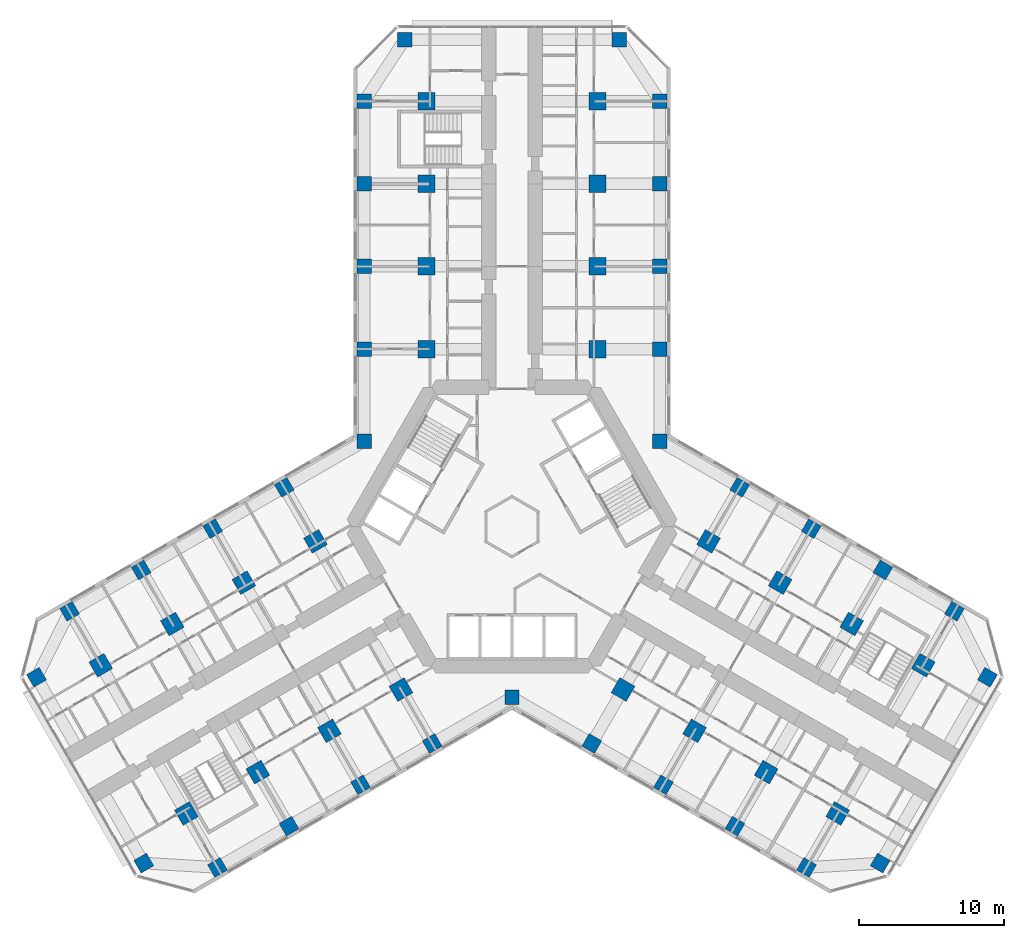
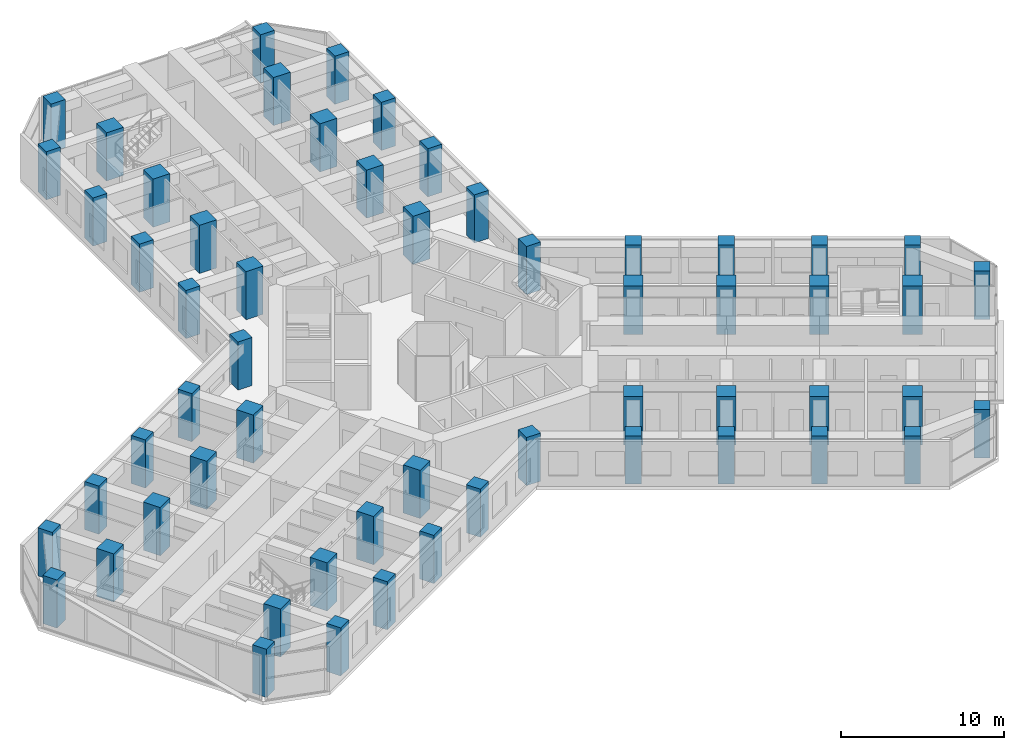
# One storey, part 1 of 21: 57 columns.
"""IFC4 building model written with IfcOpenShell, lengths in metres."""

from ifc_helpers import new_model, si_unit, direction, frame, origin, origin_2d, place, context, subcontext, project, spatial, rectangle, extrude, material, material_profile, profile_set, type_object, element, save


model = new_model("IFC4")

# Units and contexts
model_context = context("Model", 3, precision=1e-05, world=origin(), true_north=direction((0.0, 1.0)))
body_context = subcontext(model_context, "Body", "Model", "MODEL_VIEW")
ifc_project = project(units=[si_unit("LENGTHUNIT", "METRE"), si_unit("AREAUNIT", "SQUARE_METRE"), si_unit("VOLUMEUNIT", "CUBIC_METRE"), si_unit("PLANEANGLEUNIT", "RADIAN"), si_unit("MASSUNIT", "GRAM", prefix="KILO")], contexts=[model_context])

# Site, building, storey
site_placement = place(None, origin())
site = spatial("IfcSite", under=ifc_project, at=site_placement, CompositionType="ELEMENT")
building_placement = place(site_placement, origin())
building = spatial("IfcBuilding", under=site, at=building_placement, Name="Kosmar Iwan School Tower", CompositionType="ELEMENT")
storey_placement = place(building_placement, frame((0.0, 0.0, 57.39990234375)))
storey = spatial("IfcBuildingStorey", under=building, at=storey_placement, Name="L13", CompositionType="ELEMENT", Elevation=57.39990234375)

# Columns
ifc_material_1 = material(Name="Concrete C50/60", Category="concrete")
ifc_material_profile_1 = material_profile(ifc_material_1, rectangle(XDim=1.0, YDim=1.0, at=origin_2d()), Name="RC 1000x1000 + HD 400x677")
ifc_profile_set_1 = profile_set([ifc_material_profile_1], Name="Concrete C50/60")
column_type_1 = type_object("IfcColumnType", Name="Composite column 1000x1000 HD 400x677", PredefinedType="COLUMN", material=ifc_profile_set_1)
for number, where, z_axis, x_axis, name in (
    (1, (-10.199951171875, 12.25, 0.0), (0.0, 0.0, 1.0), (0.0, 1.0, 0.0), "Column AL1 L13"),
    (2, (-10.199951171875, 17.949951171875, 0.0), (0.0, 0.0, 1.0), (0.0, 1.0, 0.0), "Column AL2 L13"),
    (3, (-10.199951171875, 23.64990234375, 0.0), (0.0, 0.0, 1.0), (0.0, 1.0, 0.0), "Column AL3 L13"),
    (4, (-10.199951171875, 29.35009765625, 0.0), (0.0, 0.0, 1.0), (0.0, 1.0, 0.0), "Column AL4 L13"),
    (5, (-7.39990234375, 33.60009765625, 0.0), (0.0, 0.0, 1.0), (0.0, 1.0, 0.0), "Column ALTIP L13"),
    (6, (10.199951171875, 12.25, 0.0), (0.0, 0.0, 1.0), (0.0, 1.0, 0.0), "Column AR1 L13"),
    (7, (10.199951171875, 17.949951171875, 0.0), (0.0, 0.0, 1.0), (0.0, 1.0, 0.0), "Column AR2 L13"),
    (8, (10.199951171875, 23.64990234375, 0.0), (0.0, 0.0, 1.0), (0.0, 1.0, 0.0), "Column AR3 L13"),
    (9, (10.199951171875, 29.35009765625, 0.0), (0.0, 0.0, 1.0), (0.0, 1.0, 0.0), "Column AR4 L13"),
    (10, (7.39990234375, 33.60009765625, 0.0), (0.0, 0.0, 1.0), (0.0, 1.0, 0.0), "Column ARTIP L13"),
    (11, (-5.5087890625, -14.95849609375, 0.0), (0.0, 0.0, 1.0), (-0.866025403784, -0.5, 0.0), "Column BL1 L13"),
    (12, (-10.445068359375, -17.808349609375, 0.0), (0.0, 0.0, 1.0), (-0.866025403784, -0.5, 0.0), "Column BL2 L13"),
    (13, (-15.381591796875, -20.658447265625, 0.0), (0.0, 0.0, 1.0), (-0.866025403784, -0.5, 0.0), "Column BL3 L13"),
    (14, (-20.31787109375, -23.508544921875, 0.0), (0.0, 0.0, 1.0), (-0.866025403784, -0.5, 0.0), "Column BL4 L13"),
    (15, (-25.3984375, -23.20849609375, 0.0), (0.0, 0.0, 1.0), (-0.866025403784, -0.5, 0.0), "Column BLTIP L13"),
    (16, (-15.708740234375, 2.70849609375, 0.0), (0.0, 0.0, 1.0), (-0.866025403784, -0.5, 0.0), "Column BR1 L13"),
    (17, (-20.645263671875, -0.1416015625, 0.0), (0.0, 0.0, 1.0), (-0.866025403784, -0.5, 0.0), "Column BR2 L13"),
    (18, (-25.58154296875, -2.991455078125, 0.0), (0.0, 0.0, 1.0), (-0.866025403784, -0.5, 0.0), "Column BR3 L13"),
    (19, (-30.517822265625, -5.841552734375, 0.0), (0.0, 0.0, 1.0), (-0.866025403784, -0.5, 0.0), "Column BR4 L13"),
    (20, (-32.79833984375, -10.391357421875, 0.0), (0.0, 0.0, 1.0), (-0.866025403784, -0.5, 0.0), "Column BRTIP L13"),
    (21, (15.708740234375, 2.70849609375, 0.0), (0.0, 0.0, 1.0), (0.866025403784, -0.5, 0.0), "Column CL1 L13"),
    (22, (20.645263671875, -0.1416015625, 0.0), (0.0, 0.0, 1.0), (0.866025403784, -0.5, 0.0), "Column CL2 L13"),
    (23, (25.58154296875, -2.991455078125, 0.0), (0.0, 0.0, 1.0), (0.866025403784, -0.5, 0.0), "Column CL3 L13"),
    (24, (30.517822265625, -5.841552734375, 0.0), (0.0, 0.0, 1.0), (0.866025403784, -0.5, 0.0), "Column CL4 L13"),
    (25, (32.79833984375, -10.391357421875, 0.0), (0.0, 0.0, 1.0), (0.866025403784, -0.5, 0.0), "Column CLTIP L13"),
    (26, (5.5087890625, -14.95849609375, 0.0), (0.0, 0.0, 1.0), (0.866025403784, -0.5, 0.0), "Column CR1 L13"),
    (27, (10.445068359375, -17.808349609375, 0.0), (0.0, 0.0, 1.0), (0.866025403784, -0.5, 0.0), "Column CR2 L13"),
    (28, (15.381591796875, -20.658447265625, 0.0), (0.0, 0.0, 1.0), (0.866025403784, -0.5, 0.0), "Column CR3 L13"),
    (29, (20.31787109375, -23.508544921875, 0.0), (0.0, 0.0, 1.0), (0.866025403784, -0.5, 0.0), "Column CR4 L13"),
    (30, (25.3984375, -23.20849609375, 0.0), (0.0, 0.0, 1.0), (0.866025403784, -0.5, 0.0), "Column CRTIP L13"),
    (31, (-10.199951171875, 5.888916015625, 0.0), (0.0, 0.0, 1.0), (1.0, 0.0, 0.0), "Column RAB L13"),
    (32, (10.199951171875, 5.888916015625, 0.0), (0.0, 0.0, 1.0), (1.0, 0.0, 0.0), "Column RAC L13"),
    (33, (0.0, -11.77783203125, 0.0), (0.0, 0.0, 1.0), (1.0, 0.0, 0.0), "Column RBC L13"),
):
    element("IfcColumn", number, at=place(storey_placement, frame(where, z_axis=z_axis, x_axis=x_axis)), inside=storey, type_object=column_type_1, Name=name, PredefinedType="COLUMN", context=body_context, shape_type="SweptSolid", body=[
        extrude(rectangle(XDim=1.0, YDim=1.0, at=origin_2d()), origin(), (0.0, 0.0, 1.0), 3.60009765625),
    ])
ifc_material_2 = material(Name="Concrete C50/60", Category="concrete")
ifc_material_profile_2 = material_profile(ifc_material_2, rectangle(XDim=1.199951171875, YDim=1.199951171875, at=origin_2d()), Name="RC 1200x1200")
ifc_profile_set_2 = profile_set([ifc_material_profile_2], Name="Concrete C50/60")
column_type_2 = type_object("IfcColumnType", Name="RC interior column 1200x1200", PredefinedType="COLUMN", material=ifc_profile_set_2)
for number, where, z_axis, x_axis, name in (
    (34, (-5.89990234375, 12.25, 0.0), (0.0, 0.0, 1.0), (0.0, 1.0, 0.0), "Interior column ALI1 L13"),
    (35, (-5.89990234375, 17.949951171875, 0.0), (0.0, 0.0, 1.0), (0.0, 1.0, 0.0), "Interior column ALI2 L13"),
    (36, (-5.89990234375, 23.64990234375, 0.0), (0.0, 0.0, 1.0), (0.0, 1.0, 0.0), "Interior column ALI3 L13"),
    (37, (-5.89990234375, 29.35009765625, 0.0), (0.0, 0.0, 1.0), (0.0, 1.0, 0.0), "Interior column ALI4 L13"),
    (38, (5.89990234375, 12.25, 0.0), (0.0, 0.0, 1.0), (0.0, 1.0, 0.0), "Interior column ARI1 L13"),
    (39, (5.89990234375, 17.949951171875, 0.0), (0.0, 0.0, 1.0), (0.0, 1.0, 0.0), "Interior column ARI2 L13"),
    (40, (5.89990234375, 23.64990234375, 0.0), (0.0, 0.0, 1.0), (0.0, 1.0, 0.0), "Interior column ARI3 L13"),
    (41, (5.89990234375, 29.35009765625, 0.0), (0.0, 0.0, 1.0), (0.0, 1.0, 0.0), "Interior column ARI4 L13"),
    (42, (-7.65869140625, -11.234619140625, 0.0), (0.0, 0.0, 1.0), (-0.866025403784, -0.5, 0.0), "Interior column BLI1 L13"),
    (43, (-12.59521484375, -14.08447265625, 0.0), (0.0, 0.0, 1.0), (-0.866025403784, -0.5, 0.0), "Interior column BLI2 L13"),
    (44, (-17.531494140625, -16.9345703125, 0.0), (0.0, 0.0, 1.0), (-0.866025403784, -0.5, 0.0), "Interior column BLI3 L13"),
    (45, (-22.4677734375, -19.78466796875, 0.0), (0.0, 0.0, 1.0), (-0.866025403784, -0.5, 0.0), "Interior column BLI4 L13"),
    (46, (-13.558837890625, -1.015380859375, 0.0), (0.0, 0.0, 1.0), (-0.866025403784, -0.5, 0.0), "Interior column BRI1 L13"),
    (47, (-18.4951171875, -3.865478515625, 0.0), (0.0, 0.0, 1.0), (-0.866025403784, -0.5, 0.0), "Interior column BRI2 L13"),
    (48, (-23.431396484375, -6.71533203125, 0.0), (0.0, 0.0, 1.0), (-0.866025403784, -0.5, 0.0), "Interior column BRI3 L13"),
    (49, (-28.367919921875, -9.5654296875, 0.0), (0.0, 0.0, 1.0), (-0.866025403784, -0.5, 0.0), "Interior column BRI4 L13"),
    (50, (13.558837890625, -1.015380859375, 0.0), (0.0, 0.0, 1.0), (0.866025403784, -0.5, 0.0), "Interior column CLI1 L13"),
    (51, (18.4951171875, -3.865478515625, 0.0), (0.0, 0.0, 1.0), (0.866025403784, -0.5, 0.0), "Interior column CLI2 L13"),
    (52, (23.431396484375, -6.71533203125, 0.0), (0.0, 0.0, 1.0), (0.866025403784, -0.5, 0.0), "Interior column CLI3 L13"),
    (53, (28.367919921875, -9.5654296875, 0.0), (0.0, 0.0, 1.0), (0.866025403784, -0.5, 0.0), "Interior column CLI4 L13"),
    (54, (7.65869140625, -11.234619140625, 0.0), (0.0, 0.0, 1.0), (0.866025403784, -0.5, 0.0), "Interior column CRI1 L13"),
    (55, (12.59521484375, -14.08447265625, 0.0), (0.0, 0.0, 1.0), (0.866025403784, -0.5, 0.0), "Interior column CRI2 L13"),
    (56, (17.531494140625, -16.9345703125, 0.0), (0.0, 0.0, 1.0), (0.866025403784, -0.5, 0.0), "Interior column CRI3 L13"),
    (57, (22.4677734375, -19.78466796875, 0.0), (0.0, 0.0, 1.0), (0.866025403784, -0.5, 0.0), "Interior column CRI4 L13"),
):
    element("IfcColumn", number, at=place(storey_placement, frame(where, z_axis=z_axis, x_axis=x_axis)), inside=storey, type_object=column_type_2, Name=name, PredefinedType="COLUMN", context=body_context, shape_type="SweptSolid", body=[
        extrude(rectangle(XDim=1.199951171875, YDim=1.199951171875, at=origin_2d()), origin(), (0.0, 0.0, 1.0), 3.60009765625),
    ])

save(model, "model.ifc")
